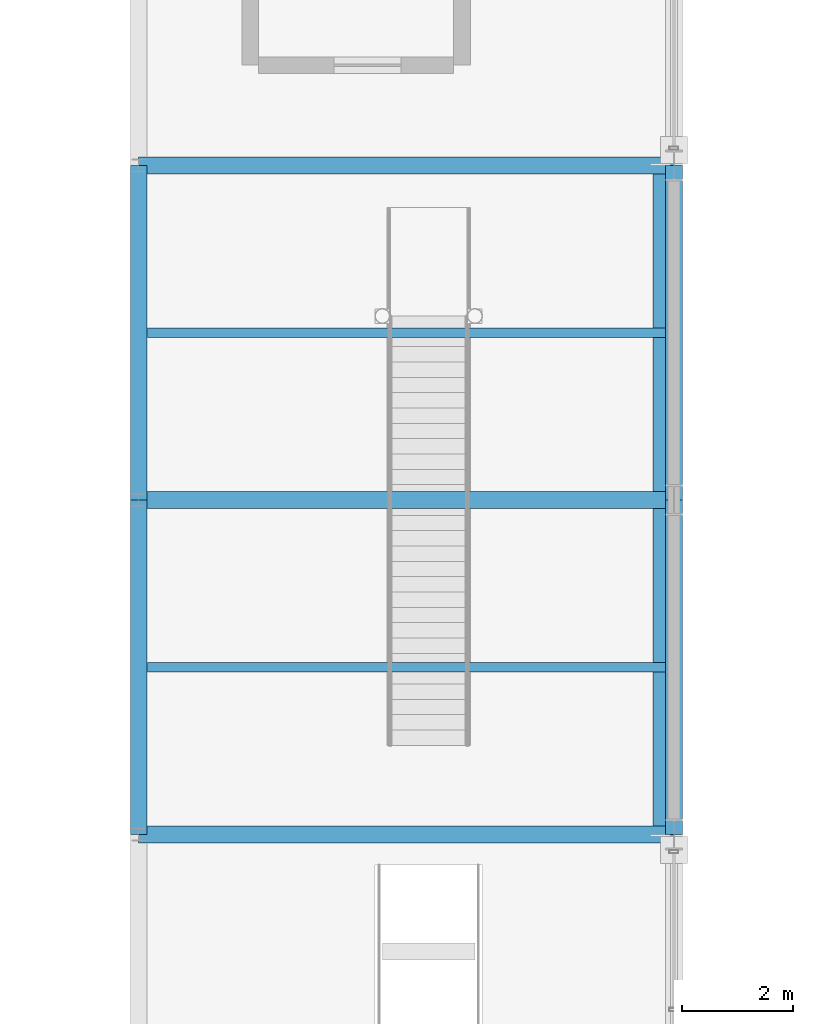
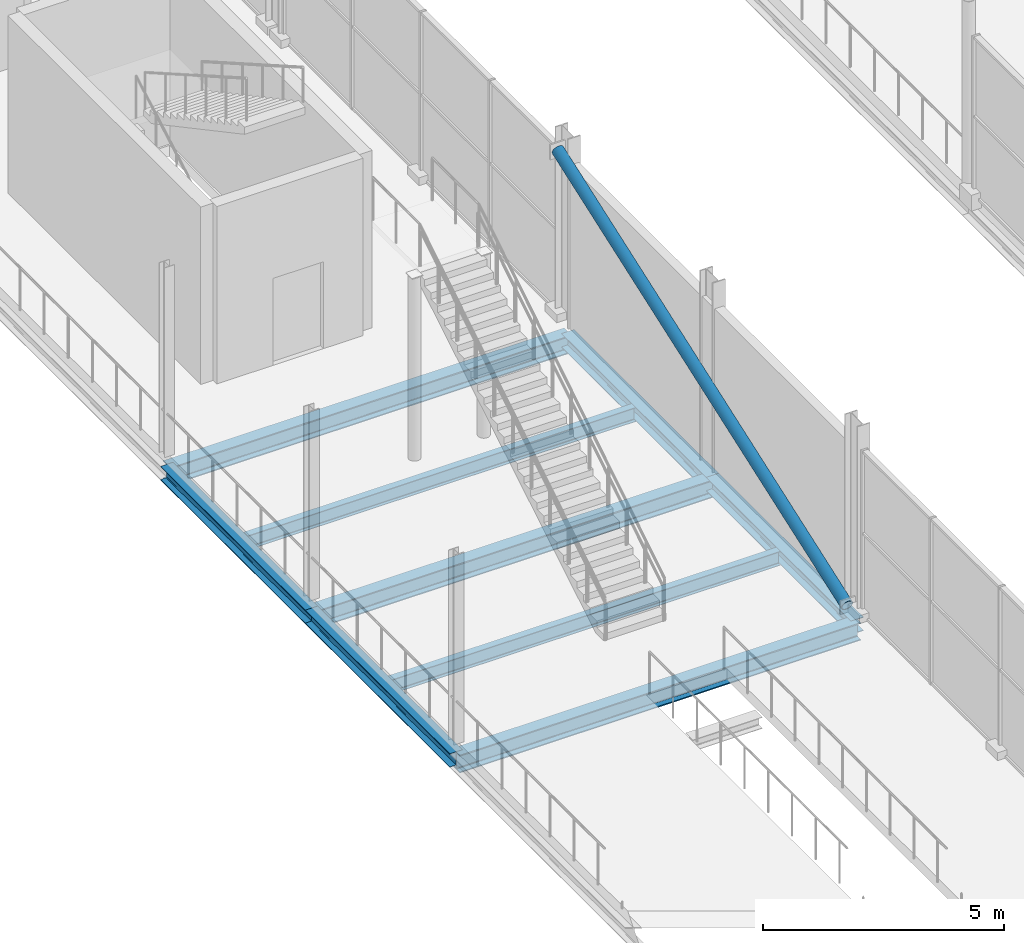
# One storey, part 39 of 159: 9 beams, 1 member.
"""IFC4 building model written with IfcOpenShell, lengths in metres."""

from ifc_helpers import new_model, si_unit, direction, frame, origin, origin_2d, place, context, subcontext, project, spatial, hollow_circle, i_section, extrude, material, material_profile, profile_set, type_object, element, save


model = new_model("IFC4")

# Units and contexts
model_context = context("Model", 3, precision=1e-05, world=origin(), true_north=direction((0.0, 1.0)))
body_context = subcontext(model_context, "Body", "Model", "MODEL_VIEW")
ifc_project = project(units=[si_unit("LENGTHUNIT", "METRE"), si_unit("AREAUNIT", "SQUARE_METRE"), si_unit("VOLUMEUNIT", "CUBIC_METRE"), si_unit("PLANEANGLEUNIT", "RADIAN"), si_unit("MASSUNIT", "GRAM", prefix="KILO")], contexts=[model_context])

# Site, building, storey
site_placement = place(None, origin())
site = spatial("IfcSite", under=ifc_project, at=site_placement, CompositionType="ELEMENT")
building_placement = place(site_placement, origin())
building = spatial("IfcBuilding", under=site, at=building_placement, Name="Merenkruunu Market Hall", CompositionType="ELEMENT")
storey_placement = place(building_placement, frame((0.0, 0.0, 5.39990234375)))
storey = spatial("IfcBuildingStorey", under=building, at=storey_placement, Name="L01", CompositionType="ELEMENT", Elevation=5.39990234375)

# Member
ifc_material_1 = material(Name="Steel S355ML", Category="steel")
ifc_material_profile_1 = material_profile(ifc_material_1, hollow_circle(Radius=0.136474609375, WallThickness=0.012451171875, at=origin_2d()), Name="CHS 273x12.5")
ifc_profile_set_1 = profile_set([ifc_material_profile_1], Name="Steel S355ML")
member_type = type_object("IfcMemberType", Name="Diagonal Sway Brace BR02", PredefinedType="BRACE", material=ifc_profile_set_1)
member_placement = place(storey_placement, frame((57.360107421875, 39.60009765625, 0.150146484375), z_axis=(0.0, 0.942627225161, 0.333847142245), x_axis=(-1.0, 0.0, 0.0)))
element("IfcMember", 1, at=member_placement, inside=storey, type_object=member_type, Name="MEM-CBF06", PredefinedType="BRACE", context=body_context, shape_type="SweptSolid", body=[
    extrude(hollow_circle(Radius=0.136474609375, WallThickness=0.012451171875, at=origin_2d()), origin(), (0.0, 0.0, 1.0), 12.73046875),
])

# Beams
ifc_material_2 = material(Name="Steel S355J2", Category="steel")
ifc_material_profile_2 = material_profile(ifc_material_2, i_section(OverallWidth=0.300048828125, OverallDepth=0.449951171875, WebThickness=0.013916015625, FlangeThickness=0.02587890625, FilletRadius=0.027099609375, at=origin_2d()), Name="HEB 450")
ifc_profile_set_2 = profile_set([ifc_material_profile_2], Name="Steel S355J2")
beam_type_1 = type_object("IfcBeamType", Name="Primary Floor Girder B03", PredefinedType="BEAM", material=ifc_profile_set_2)
for number, where, z_axis, x_axis, name in (
    (2, (48.0, 39.60009765625, -0.5048828125), (1.0, 0.0, 0.0), (0.0, 1.0, 0.0), "BM-L01-B03-0495"),
    (3, (48.0, 45.60009765625, -0.5048828125), (1.0, 0.0, 0.0), (0.0, 1.0, 0.0), "BM-L01-B03-0507"),
    (4, (48.0, 51.60009765625, -0.5048828125), (1.0, 0.0, 0.0), (0.0, 1.0, 0.0), "BM-L01-B03-0520"),
):
    element("IfcBeam", number, at=place(storey_placement, frame(where, z_axis=z_axis, x_axis=x_axis)), inside=storey, type_object=beam_type_1, Name=name, PredefinedType="BEAM", context=body_context, shape_type="SweptSolid", body=[
        extrude(i_section(OverallWidth=0.300048828125, OverallDepth=0.449951171875, WebThickness=0.013916015625, FlangeThickness=0.02587890625, FilletRadius=0.027099609375, at=origin_2d()), origin(), (0.0, 0.0, 1.0), 9.60009765625),
    ])
ifc_material_profile_3 = material_profile(ifc_material_2, i_section(OverallWidth=0.300048828125, OverallDepth=0.35009765625, WebThickness=0.010009765625, FlangeThickness=0.017578125, FilletRadius=0.027099609375, at=origin_2d()), Name="HEA 360")
ifc_profile_set_3 = profile_set([ifc_material_profile_3], Name="Steel S355J2")
beam_type_2 = type_object("IfcBeamType", Name="Primary Floor Girder B08", PredefinedType="BEAM", material=ifc_profile_set_3)
for number, where, z_axis, x_axis, name in (
    (5, (48.0, 39.60009765625, -0.454833984375), (0.0, 1.0, 0.0), (-1.0, 0.0, 0.0), "BM-L01-B08-0573"),
    (6, (48.0, 45.60009765625, -0.454833984375), (0.0, 1.0, 0.0), (-1.0, 0.0, 0.0), "BM-L01-B08-0574"),
    (7, (57.60009765625, 39.60009765625, -0.454833984375), (0.0, 1.0, 0.0), (-1.0, 0.0, 0.0), "BM-L01-B08-0582"),
    (8, (57.60009765625, 45.60009765625, -0.454833984375), (0.0, 1.0, 0.0), (-1.0, 0.0, 0.0), "BM-L01-B08-0583"),
):
    element("IfcBeam", number, at=place(storey_placement, frame(where, z_axis=z_axis, x_axis=x_axis)), inside=storey, type_object=beam_type_2, Name=name, PredefinedType="BEAM", context=body_context, shape_type="SweptSolid", body=[
        extrude(i_section(OverallWidth=0.300048828125, OverallDepth=0.35009765625, WebThickness=0.010009765625, FlangeThickness=0.017578125, FilletRadius=0.027099609375, at=origin_2d()), origin(), (0.0, 0.0, 1.0), 6.0),
    ])
ifc_material_profile_4 = material_profile(ifc_material_2, i_section(OverallWidth=0.169921875, OverallDepth=0.360107421875, WebThickness=0.008056640625, FlangeThickness=0.0126953125, FilletRadius=0.01806640625, at=origin_2d()), Name="IPE 360")
ifc_profile_set_4 = profile_set([ifc_material_profile_4], Name="Steel S355J2")
beam_type_3 = type_object("IfcBeamType", Name="Secondary Floor Joist J03", PredefinedType="JOIST", material=ifc_profile_set_4)
for number, where, z_axis, x_axis, name in (
    (9, (48.153076171875, 42.60009765625, -0.4599609375), (1.0, 0.0, 0.0), (0.0, 1.0, 0.0), "BM-L01-J03-0667"),
    (10, (48.153076171875, 48.60009765625, -0.4599609375), (1.0, 0.0, 0.0), (0.0, 1.0, 0.0), "BM-L01-J03-0668"),
):
    element("IfcBeam", number, at=place(storey_placement, frame(where, z_axis=z_axis, x_axis=x_axis)), inside=storey, type_object=beam_type_3, Name=name, PredefinedType="JOIST", context=body_context, shape_type="SweptSolid", body=[
        extrude(i_section(OverallWidth=0.169921875, OverallDepth=0.360107421875, WebThickness=0.008056640625, FlangeThickness=0.0126953125, FilletRadius=0.01806640625, at=origin_2d()), origin(), (0.0, 0.0, 1.0), 9.2939453125),
    ])

save(model, "model.ifc")
